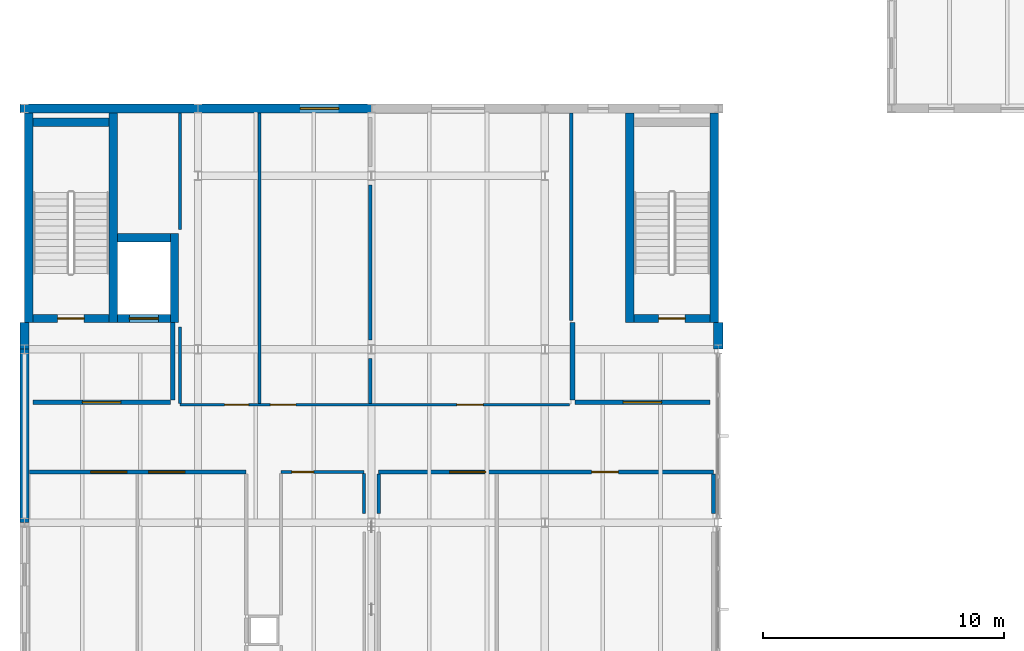
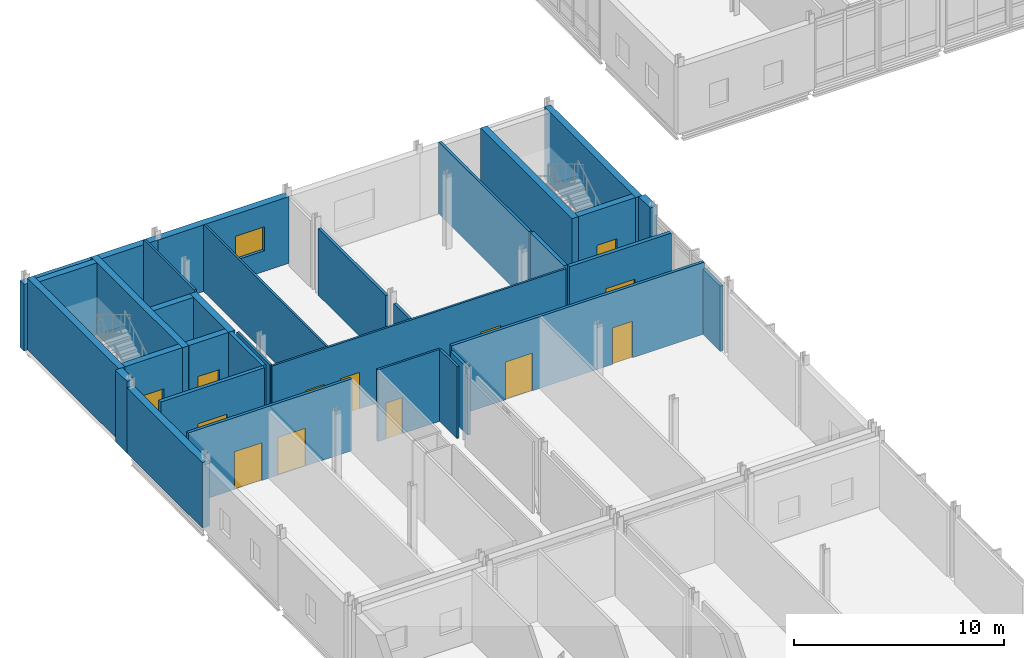
# One storey, part 59 of 76: 32 walls, 13 doors, 1 window, 14 openings.
"""IFC4 building model written with IfcOpenShell, lengths in metres."""

from ifc_helpers import new_model, si_unit, direction, frame, frame_2d, origin, place, context, subcontext, project, spatial, rectangle, extrude, material, layer, layer_set, type_object, element, fill, save


model = new_model("IFC4")

# Units and contexts
model_context = context("Model", 3, precision=1e-05, world=origin(), true_north=direction((0.0, 1.0)))
body_context = subcontext(model_context, "Body", "Model", "MODEL_VIEW")
ifc_project = project(units=[si_unit("LENGTHUNIT", "METRE"), si_unit("AREAUNIT", "SQUARE_METRE"), si_unit("VOLUMEUNIT", "CUBIC_METRE"), si_unit("PLANEANGLEUNIT", "RADIAN"), si_unit("MASSUNIT", "GRAM", prefix="KILO")], contexts=[model_context])

# Site, building, storey
site_placement = place(None, origin())
site = spatial("IfcSite", under=ifc_project, at=site_placement, CompositionType="ELEMENT")
building_placement = place(site_placement, origin())
building = spatial("IfcBuilding", under=site, at=building_placement, Name="Zarrinpeak Specialist Clinic", CompositionType="ELEMENT")
storey_placement = place(building_placement, frame((0.0, 0.0, 5.199951171875)))
storey = spatial("IfcBuildingStorey", under=building, at=storey_placement, Name="L01", CompositionType="ELEMENT", Elevation=5.199951171875)

# Wall, opening, door
ifc_material_1 = material(Name="Concrete C40/50", Category="concrete")
ifc_layer_1 = layer(ifc_material_1, 0.35009765625)
ifc_layer_set_1 = layer_set([ifc_layer_1], Name="Concrete C40/50")
wall_type_1 = type_object("IfcWallType", Name="WL-CR350", PredefinedType="SHEAR", material=ifc_layer_set_1)
wall_1_placement = place(storey_placement, frame((0.35009765625, 73.27490234375, 0.0), z_axis=(0.0, 0.0, 1.0), x_axis=(1.0, 0.0, 0.0)))
wall_1 = element("IfcWall", 1, at=wall_1_placement, inside=storey, type_object=wall_type_1, Name="L01 Core C09 Shear Wall STS", PredefinedType="SHEAR", context=body_context, shape_type="SweptSolid", body=[
    extrude(rectangle(XDim=3.14990234375, YDim=0.35009765625, at=frame_2d((1.574951171875, 0.0))), origin(), (0.0, 0.0, 1.0), 4.18505859375),
])
opening_1_placement = place(wall_1_placement, frame((1.02490234375, 0.0, 0.0)))
opening_1 = element("IfcOpeningElement", 2, at=opening_1_placement, cuts=wall_1, Name="Opening D-S02", PredefinedType="OPENING", context=body_context, shape_type="SweptSolid", body=[
    extrude(rectangle(XDim=1.10009765625, YDim=2.14990234375, at=frame_2d((0.550048828125, 1.074951171875))), frame((0.0, 0.18505859375, 0.0), z_axis=(0.0, -1.0, 0.0), x_axis=(1.0, 0.0, 0.0)), (0.0, 0.0, 1.0), 0.3701171875),
])
ifc_material_2 = material(Name="Powder-Coated Galvanised Steel", Category="steel")
door_type_1 = type_object("IfcDoorType", Name="DR-FD110", OperationType="SINGLE_SWING_RIGHT", PredefinedType="DOOR", material=ifc_material_2)
door_1_placement = place(opening_1_placement, origin())
door_1 = element("IfcDoor", 3, at=door_1_placement, inside=storey, type_object=door_type_1, Name="L01 Protected Stair ST-09 Fire Door", OperationType="SINGLE_SWING_RIGHT", OverallHeight=2.14990234375, OverallWidth=1.10009765625, PredefinedType="DOOR", context=body_context, shape_type="SweptSolid", body=[
    extrude(rectangle(XDim=1.10009765625, YDim=2.14990234375, at=frame_2d((0.550048828125, 1.074951171875))), frame((0.0, 0.02490234375, 0.0), z_axis=(0.0, -1.0, 0.0), x_axis=(1.0, 0.0, 0.0)), (0.0, 0.0, 1.0), 0.050048828125),
])
fill(opening_1, door_1)

# Walls
wall_2_placement = place(storey_placement, frame((0.35009765625, 81.425048828125, 0.0), z_axis=(0.0, 0.0, 1.0), x_axis=(1.0, 0.0, 0.0)))
element("IfcWall", 4, at=wall_2_placement, inside=storey, type_object=wall_type_1, Name="L01 Core C09 Shear Wall STN", PredefinedType="SHEAR", context=body_context, shape_type="SweptSolid", body=[
    extrude(rectangle(XDim=3.14990234375, YDim=0.35009765625, at=frame_2d((1.574951171875, 0.0))), origin(), (0.0, 0.0, 1.0), 4.18505859375),
])
for number, where, z_axis, x_axis, name in (
    (5, (0.175048828125, 73.10009765625, 0.0), (0.0, 0.0, 1.0), (0.0, 1.0, 0.0), "L01 Core C09 Shear Wall STW"),
    (6, (3.675048828125, 73.10009765625, 0.0), (0.0, 0.0, 1.0), (0.0, 1.0, 0.0), "L01 Core C09 Shear Wall STE"),
):
    element("IfcWall", number, at=place(storey_placement, frame(where, z_axis=z_axis, x_axis=x_axis)), inside=storey, type_object=wall_type_1, Name=name, PredefinedType="SHEAR", context=body_context, shape_type="SweptSolid", body=[
        extrude(rectangle(XDim=8.7099609375, YDim=0.35009765625, at=frame_2d((4.35498046875, 0.0))), origin(), (0.0, 0.0, 1.0), 4.18505859375),
    ])

# Wall, opening, door
wall_3_placement = place(storey_placement, frame((3.85009765625, 73.27490234375, 0.0), z_axis=(0.0, 0.0, 1.0), x_axis=(1.0, 0.0, 0.0)))
wall_3 = element("IfcWall", 7, at=wall_3_placement, inside=storey, type_object=wall_type_1, Name="L01 Lift LF-P5 Shaft Wall LFS", PredefinedType="SHEAR", context=body_context, shape_type="SweptSolid", body=[
    extrude(rectangle(XDim=2.199951171875, YDim=0.35009765625, at=frame_2d((1.10009765625, 0.0))), origin(), (0.0, 0.0, 1.0), 4.18505859375),
])
opening_2_placement = place(wall_3_placement, frame((0.5, 0.0, 0.0)))
opening_2 = element("IfcOpeningElement", 8, at=opening_2_placement, cuts=wall_3, Name="Opening LD-02", PredefinedType="OPENING", context=body_context, shape_type="SweptSolid", body=[
    extrude(rectangle(XDim=1.199951171875, YDim=2.199951171875, at=frame_2d((0.60009765625, 1.10009765625))), frame((0.0, 0.18505859375, 0.0), z_axis=(0.0, -1.0, 0.0), x_axis=(1.0, 0.0, 0.0)), (0.0, 0.0, 1.0), 0.3701171875),
])
door_type_2 = type_object("IfcDoorType", Name="DR-LD120", OperationType="SLIDING_TO_RIGHT", PredefinedType="DOOR", material=ifc_material_2)
door_2_placement = place(opening_2_placement, origin())
door_2 = element("IfcDoor", 9, at=door_2_placement, inside=storey, type_object=door_type_2, Name="L01 Lift LF-P5 Sliding Landing Door", OperationType="SLIDING_TO_RIGHT", OverallHeight=2.199951171875, OverallWidth=1.199951171875, PredefinedType="DOOR", context=body_context, shape_type="SweptSolid", body=[
    extrude(rectangle(XDim=1.199951171875, YDim=2.199951171875, at=frame_2d((0.60009765625, 1.10009765625))), frame((0.0, 0.02490234375, 0.0), z_axis=(0.0, -1.0, 0.0), x_axis=(1.0, 0.0, 0.0)), (0.0, 0.0, 1.0), 0.050048828125),
])
fill(opening_2, door_2)

# Walls
wall_4_placement = place(storey_placement, frame((3.85009765625, 76.625, 0.0), z_axis=(0.0, 0.0, 1.0), x_axis=(1.0, 0.0, 0.0)))
element("IfcWall", 10, at=wall_4_placement, inside=storey, type_object=wall_type_1, Name="L01 Lift LF-P5 Shaft Wall LFN", PredefinedType="SHEAR", context=body_context, shape_type="SweptSolid", body=[
    extrude(rectangle(XDim=2.199951171875, YDim=0.35009765625, at=frame_2d((1.10009765625, 0.0))), origin(), (0.0, 0.0, 1.0), 4.18505859375),
])
wall_5_placement = place(storey_placement, frame((6.22509765625, 73.10009765625, 0.0), z_axis=(0.0, 0.0, 1.0), x_axis=(0.0, 1.0, 0.0)))
element("IfcWall", 11, at=wall_5_placement, inside=storey, type_object=wall_type_1, Name="L01 Lift LF-P5 Shaft Wall LFE", PredefinedType="SHEAR", context=body_context, shape_type="SweptSolid", body=[
    extrude(rectangle(XDim=3.699951171875, YDim=0.35009765625, at=frame_2d((1.85009765625, 0.0))), origin(), (0.0, 0.0, 1.0), 4.18505859375),
])

# Wall, opening, door
wall_6_placement = place(storey_placement, frame((25.300048828125, 73.27490234375, 0.0), z_axis=(0.0, 0.0, 1.0), x_axis=(1.0, 0.0, 0.0)))
wall_6 = element("IfcWall", 12, at=wall_6_placement, inside=storey, type_object=wall_type_1, Name="L01 Core C10 Shear Wall STS", PredefinedType="SHEAR", context=body_context, shape_type="SweptSolid", body=[
    extrude(rectangle(XDim=3.14990234375, YDim=0.35009765625, at=frame_2d((1.574951171875, 0.0))), origin(), (0.0, 0.0, 1.0), 4.18505859375),
])
opening_3_placement = place(wall_6_placement, frame((1.02490234375, 0.0, 0.0)))
opening_3 = element("IfcOpeningElement", 13, at=opening_3_placement, cuts=wall_6, Name="Opening D-S02", PredefinedType="OPENING", context=body_context, shape_type="SweptSolid", body=[
    extrude(rectangle(XDim=1.10009765625, YDim=2.14990234375, at=frame_2d((0.550048828125, 1.074951171875))), frame((0.0, 0.18505859375, 0.0), z_axis=(0.0, -1.0, 0.0), x_axis=(1.0, 0.0, 0.0)), (0.0, 0.0, 1.0), 0.3701171875),
])
door_3_placement = place(opening_3_placement, origin())
door_3 = element("IfcDoor", 14, at=door_3_placement, inside=storey, type_object=door_type_1, Name="L01 Protected Stair ST-10 Fire Door", OperationType="SINGLE_SWING_RIGHT", OverallHeight=2.14990234375, OverallWidth=1.10009765625, PredefinedType="DOOR", context=body_context, shape_type="SweptSolid", body=[
    extrude(rectangle(XDim=1.10009765625, YDim=2.14990234375, at=frame_2d((0.550048828125, 1.074951171875))), frame((0.0, 0.02490234375, 0.0), z_axis=(0.0, -1.0, 0.0), x_axis=(1.0, 0.0, 0.0)), (0.0, 0.0, 1.0), 0.050048828125),
])
fill(opening_3, door_3)

# Walls
for number, where, z_axis, x_axis, name in (
    (15, (25.125, 73.10009765625, 0.0), (0.0, 0.0, 1.0), (0.0, 1.0, 0.0), "L01 Core C10 Shear Wall STW"),
    (16, (28.625, 73.10009765625, 0.0), (0.0, 0.0, 1.0), (0.0, 1.0, 0.0), "L01 Core C10 Shear Wall STE"),
):
    element("IfcWall", number, at=place(storey_placement, frame(where, z_axis=z_axis, x_axis=x_axis)), inside=storey, type_object=wall_type_1, Name=name, PredefinedType="SHEAR", context=body_context, shape_type="SweptSolid", body=[
        extrude(rectangle(XDim=8.7099609375, YDim=0.35009765625, at=frame_2d((4.35498046875, 0.0))), origin(), (0.0, 0.0, 1.0), 4.18505859375),
    ])
ifc_material_3 = material(Name="Precast concrete C40/50", Category="concrete")
ifc_layer_2 = layer(ifc_material_3, 0.3798828125)
ifc_layer_set_2 = layer_set([ifc_layer_2], Name="Precast concrete C40/50")
wall_type_2 = type_object("IfcWallType", Name="WL-EW380", PredefinedType="STANDARD", material=ifc_layer_set_2)
wall_7_placement = place(storey_placement, frame((7.199951171875, 82.0, 0.0), z_axis=(0.0, 0.0, 1.0), x_axis=(-1.0, 0.0, 0.0)))
element("IfcWall", 17, at=wall_7_placement, inside=storey, type_object=wall_type_2, Name="L01 V5 Exterior GRC Wall EW-L01-V5-0229", PredefinedType="STANDARD", context=body_context, shape_type="SweptSolid", body=[
    extrude(rectangle(XDim=7.389892578125, YDim=0.3798828125, at=frame_2d((3.69482421875, 0.0))), origin(), (0.0, 0.0, 1.0), 3.880126953125),
])

# Wall, opening, window
wall_8_placement = place(storey_placement, frame((14.39990234375, 82.0, 0.0), z_axis=(0.0, 0.0, 1.0), x_axis=(-1.0, 0.0, 0.0)))
wall_8 = element("IfcWall", 18, at=wall_8_placement, inside=storey, type_object=wall_type_2, Name="L01 V5 Exterior GRC Wall EW-L01-V5-0230", PredefinedType="STANDARD", context=body_context, shape_type="SweptSolid", body=[
    extrude(rectangle(XDim=7.199951171875, YDim=0.3798828125, at=frame_2d((3.60009765625, 0.0))), origin(), (0.0, 0.0, 1.0), 3.880126953125),
])
opening_4_placement = place(wall_8_placement, frame((1.360107421875, 0.0, 1.199951171875)))
opening_4 = element("IfcOpeningElement", 19, at=opening_4_placement, cuts=wall_8, Name="Opening W-10", PredefinedType="OPENING", context=body_context, shape_type="SweptSolid", body=[
    extrude(rectangle(XDim=1.60009765625, YDim=1.39990234375, at=frame_2d((0.800048828125, 0.699951171875))), frame((0.0, 0.199951171875, 0.0), z_axis=(0.0, -1.0, 0.0), x_axis=(1.0, 0.0, 0.0)), (0.0, 0.0, 1.0), 0.39990234375),
])
ifc_material_4 = material(Name="Thermally Broken Aluminium and Low-E Glazing", Category="aluminium")
window_type = type_object("IfcWindowType", Name="WN-NRS160", PartitioningType="SINGLE_PANEL", PredefinedType="WINDOW", material=ifc_material_4)
window_placement = place(opening_4_placement, origin())
window = element("IfcWindow", 20, at=window_placement, inside=storey, type_object=window_type, Name="L01 Modular Facade Window WN-L01-0264", OverallHeight=1.39990234375, OverallWidth=1.60009765625, PartitioningType="SINGLE_PANEL", PredefinedType="WINDOW", context=body_context, shape_type="SweptSolid", body=[
    extrude(rectangle(XDim=1.60009765625, YDim=1.39990234375, at=frame_2d((0.800048828125, 0.699951171875))), frame((0.0, 0.030029296875, 0.0), z_axis=(0.0, -1.0, 0.0), x_axis=(1.0, 0.0, 0.0)), (0.0, 0.0, 1.0), 0.06005859375),
])
fill(opening_4, window)

# Walls
wall_9_placement = place(storey_placement, frame((0.0, 72.0, 0.0), z_axis=(0.0, 0.0, 1.0), x_axis=(0.0, -1.0, 0.0)))
element("IfcWall", 21, at=wall_9_placement, inside=storey, type_object=wall_type_2, Name="L01 V5 Exterior GRC Wall EW-L01-V5-0235", PredefinedType="STANDARD", context=body_context, shape_type="SweptSolid", body=[
    extrude(rectangle(XDim=7.199951171875, YDim=0.3798828125, at=frame_2d((3.60009765625, 0.0))), origin(), (0.0, 0.0, 1.0), 3.81005859375),
])
for number, where, z_axis, x_axis, name in (
    (22, (0.0, 73.10009765625, 0.0), (0.0, 0.0, 1.0), (0.0, -1.0, 0.0), "L01 V5 Exterior GRC Wall EW-L01-V5-0236"),
    (23, (28.800048828125, 72.0, 0.0), (0.0, 0.0, 1.0), (0.0, 1.0, 0.0), "L01 V5 Exterior GRC Wall EW-L01-V5-0238"),
):
    element("IfcWall", number, at=place(storey_placement, frame(where, z_axis=z_axis, x_axis=x_axis)), inside=storey, type_object=wall_type_2, Name=name, PredefinedType="STANDARD", context=body_context, shape_type="SweptSolid", body=[
        extrude(rectangle(XDim=1.10009765625, YDim=0.3798828125, at=frame_2d((0.550048828125, 0.0))), origin(), (0.0, 0.0, 1.0), 4.18505859375),
    ])

# Wall, opening, door
ifc_material_5 = material(Name="Sanitary Service Chase Plumbing Wall", Category="gypsum")
ifc_layer_3 = layer(ifc_material_5, 0.110107421875)
ifc_layer_set_3 = layer_set([ifc_layer_3], Name="Sanitary Service Chase Plumbing Wall")
wall_type_3 = type_object("IfcWallType", Name="WL-IW110", PredefinedType="PARTITIONING", material=ifc_layer_set_3)
wall_10_placement = place(storey_placement, frame((10.64990234375, 66.89990234375, 0.0), z_axis=(0.0, 0.0, 1.0), x_axis=(1.0, 0.0, 0.0)))
wall_10 = element("IfcWall", 24, at=wall_10_placement, inside=storey, type_object=wall_type_3, Name="L01 Staff WC Partition", PredefinedType="PARTITIONING", context=body_context, shape_type="SweptSolid", body=[
    extrude(rectangle(XDim=3.4501953125, YDim=0.110107421875, at=frame_2d((1.72509765625, 0.0))), origin(), (0.0, 0.0, 1.0), 4.18505859375),
])
opening_5_placement = place(wall_10_placement, frame((0.449951171875, 0.0, 0.0)))
opening_5 = element("IfcOpeningElement", 25, at=opening_5_placement, cuts=wall_10, Name="Opening D-W01", PredefinedType="OPENING", context=body_context, shape_type="SweptSolid", body=[
    extrude(rectangle(XDim=0.89990234375, YDim=2.10009765625, at=frame_2d((0.449951171875, 1.050048828125))), frame((0.0, 0.06494140625, 0.0), z_axis=(0.0, -1.0, 0.0), x_axis=(1.0, 0.0, 0.0)), (0.0, 0.0, 1.0), 0.130126953125),
])
door_type_3 = type_object("IfcDoorType", Name="DR-WC90", OperationType="SINGLE_SWING_RIGHT", PredefinedType="DOOR", material=ifc_material_2)
door_4_placement = place(opening_5_placement, origin())
door_4 = element("IfcDoor", 26, at=door_4_placement, inside=storey, type_object=door_type_3, Name="L01 Staff WC Door", OperationType="SINGLE_SWING_RIGHT", OverallHeight=2.10009765625, OverallWidth=0.89990234375, PredefinedType="DOOR", context=body_context, shape_type="SweptSolid", body=[
    extrude(rectangle(XDim=0.89990234375, YDim=2.10009765625, at=frame_2d((0.449951171875, 1.050048828125))), frame((0.0, 0.02490234375, 0.0), z_axis=(0.0, -1.0, 0.0), x_axis=(1.0, 0.0, 0.0)), (0.0, 0.0, 1.0), 0.050048828125),
])
fill(opening_5, door_4)

# Wall, openings, doors
wall_11_placement = place(storey_placement, frame((6.449951171875, 69.699951171875, 0.0), z_axis=(0.0, 0.0, 1.0), x_axis=(1.0, 0.0, 0.0)))
wall_11 = element("IfcWall", 27, at=wall_11_placement, inside=storey, type_object=wall_type_3, Name="L01 Accessible Patient WC Partition", PredefinedType="PARTITIONING", context=body_context, shape_type="SweptSolid", body=[
    extrude(rectangle(XDim=16.179931640625, YDim=0.110107421875, at=frame_2d((8.08984375, 0.0))), origin(), (0.0, 0.0, 1.0), 4.18505859375),
])
opening_6_placement = place(wall_11_placement, frame((1.85009765625, 0.0, 0.0)))
opening_6 = element("IfcOpeningElement", 28, at=opening_6_placement, cuts=wall_11, Name="Opening D-W02", PredefinedType="OPENING", context=body_context, shape_type="SweptSolid", body=[
    extrude(rectangle(XDim=1.0, YDim=2.10009765625, at=frame_2d((0.5, 1.050048828125))), frame((0.0, 0.06494140625, 0.0), z_axis=(0.0, -1.0, 0.0), x_axis=(1.0, 0.0, 0.0)), (0.0, 0.0, 1.0), 0.130126953125),
])
opening_7_placement = place(wall_11_placement, frame((3.75, 0.0, 0.0)))
opening_7 = element("IfcOpeningElement", 29, at=opening_7_placement, cuts=wall_11, Name="Opening DS-47", PredefinedType="OPENING", context=body_context, shape_type="SweptSolid", body=[
    extrude(rectangle(XDim=1.06201171875, YDim=2.1240234375, at=frame_2d((0.531005859375, 1.06201171875))), frame((0.0, 0.06494140625, 0.0), z_axis=(0.0, -1.0, 0.0), x_axis=(1.0, 0.0, 0.0)), (0.0, 0.0, 1.0), 0.130126953125),
])
opening_8_placement = place(wall_11_placement, frame((11.49609375, 0.0, 0.0)))
opening_8 = element("IfcOpeningElement", 30, at=opening_8_placement, cuts=wall_11, Name="Opening DS-48", PredefinedType="OPENING", context=body_context, shape_type="SweptSolid", body=[
    extrude(rectangle(XDim=1.087890625, YDim=2.1240234375, at=frame_2d((0.5439453125, 1.06201171875))), frame((0.0, 0.06494140625, 0.0), z_axis=(0.0, -1.0, 0.0), x_axis=(1.0, 0.0, 0.0)), (0.0, 0.0, 1.0), 0.130126953125),
])
door_type_4 = type_object("IfcDoorType", Name="DR-AWC100", OperationType="SLIDING_TO_LEFT", PredefinedType="DOOR", material=ifc_material_2)
door_5_placement = place(opening_6_placement, frame((1.0, 0.0, 0.0), z_axis=(0.0, 0.0, 1.0), x_axis=(-1.0, 0.0, 0.0)))
door_5 = element("IfcDoor", 31, at=door_5_placement, inside=storey, type_object=door_type_4, Name="L01 Accessible Patient WC Door", OperationType="SLIDING_TO_LEFT", OverallHeight=2.10009765625, OverallWidth=1.0, PredefinedType="DOOR", context=body_context, shape_type="SweptSolid", body=[
    extrude(rectangle(XDim=1.0, YDim=2.10009765625, at=frame_2d((0.5, 1.050048828125))), frame((0.0, 0.02490234375, 0.0), z_axis=(0.0, -1.0, 0.0), x_axis=(1.0, 0.0, 0.0)), (0.0, 0.0, 1.0), 0.050048828125),
])
fill(opening_6, door_5)
door_type_5 = type_object("IfcDoorType", Name="DR-SP47", OperationType="SINGLE_SWING_RIGHT", PredefinedType="DOOR", material=ifc_material_2)
door_6_placement = place(opening_7_placement, frame((1.06201171875, 0.0, 0.0), z_axis=(0.0, 0.0, 1.0), x_axis=(-1.0, 0.0, 0.0)))
door_6 = element("IfcDoor", 32, at=door_6_placement, inside=storey, type_object=door_type_5, Name="L01 PACS Teleradiology Office Door", OperationType="SINGLE_SWING_RIGHT", OverallHeight=2.1240234375, OverallWidth=1.06201171875, PredefinedType="DOOR", context=body_context, shape_type="SweptSolid", body=[
    extrude(rectangle(XDim=1.06201171875, YDim=2.1240234375, at=frame_2d((0.531005859375, 1.06201171875))), frame((0.0, 0.02490234375, 0.0), z_axis=(0.0, -1.0, 0.0), x_axis=(1.0, 0.0, 0.0)), (0.0, 0.0, 1.0), 0.050048828125),
])
fill(opening_7, door_6)
door_type_6 = type_object("IfcDoorType", Name="DR-SP48", OperationType="SINGLE_SWING_LEFT", PredefinedType="DOOR", material=ifc_material_2)
door_7_placement = place(opening_8_placement, frame((1.087890625, 0.0, 0.0), z_axis=(0.0, 0.0, 1.0), x_axis=(-1.0, 0.0, 0.0)))
door_7 = element("IfcDoor", 33, at=door_7_placement, inside=storey, type_object=door_type_6, Name="L01 Specialist Consultation Room 1 Door", OperationType="SINGLE_SWING_LEFT", OverallHeight=2.1240234375, OverallWidth=1.087890625, PredefinedType="DOOR", context=body_context, shape_type="SweptSolid", body=[
    extrude(rectangle(XDim=1.087890625, YDim=2.1240234375, at=frame_2d((0.5439453125, 1.06201171875))), frame((0.0, 0.02490234375, 0.0), z_axis=(0.0, -1.0, 0.0), x_axis=(1.0, 0.0, 0.0)), (0.0, 0.0, 1.0), 0.050048828125),
])
fill(opening_8, door_7)

# Walls
wall_12_placement = place(storey_placement, frame((6.449951171875, 76.97509765625, 0.0), z_axis=(0.0, 0.0, 1.0), x_axis=(0.0, 1.0, 0.0)))
element("IfcWall", 34, at=wall_12_placement, inside=storey, type_object=wall_type_3, Name="L01 Accessible Patient WC Dividing Partition", PredefinedType="PARTITIONING", context=body_context, shape_type="SweptSolid", body=[
    extrude(rectangle(XDim=4.824951171875, YDim=0.110107421875, at=frame_2d((2.41259765625, 0.0))), origin(), (0.0, 0.0, 1.0), 4.18505859375),
])
wall_13_placement = place(storey_placement, frame((9.75, 69.7548828125, 0.0), z_axis=(0.0, 0.0, 1.0), x_axis=(0.0, 1.0, 0.0)))
element("IfcWall", 35, at=wall_13_placement, inside=storey, type_object=wall_type_3, Name="L01 Accessible Patient WC Dividing Partition", PredefinedType="PARTITIONING", context=body_context, shape_type="SweptSolid", body=[
    extrude(rectangle(XDim=12.045166015625, YDim=0.110107421875, at=frame_2d((6.0224609375, 0.0))), origin(), (0.0, 0.0, 1.0), 3.900146484375),
])
ifc_material_6 = material(Name="Moisture-Resistant Wet-Room Partition", Category="gypsum")
ifc_layer_4 = layer(ifc_material_6, 0.125)
ifc_layer_set_4 = layer_set([ifc_layer_4], Name="Moisture-Resistant Wet-Room Partition")
wall_type_4 = type_object("IfcWallType", Name="WL-IW125W", PredefinedType="PARTITIONING", material=ifc_layer_set_4)
wall_14_placement = place(storey_placement, frame((6.449951171875, 69.7548828125, 0.0), z_axis=(0.0, 0.0, 1.0), x_axis=(0.0, 1.0, 0.0)))
element("IfcWall", 36, at=wall_14_placement, inside=storey, type_object=wall_type_4, Name="L01 Accessible Patient WC Dividing Partition", PredefinedType="PARTITIONING", context=body_context, shape_type="SweptSolid", body=[
    extrude(rectangle(XDim=3.170166015625, YDim=0.125, at=frame_2d((1.5849609375, 0.0))), origin(), (0.0, 0.0, 1.0), 4.18505859375),
])
wall_15_placement = place(storey_placement, frame((14.10009765625, 65.179931640625, 0.0), z_axis=(0.0, 0.0, 1.0), x_axis=(0.0, 1.0, 0.0)))
element("IfcWall", 37, at=wall_15_placement, inside=storey, type_object=wall_type_4, Name="L01 Staff WC Dividing Partition", PredefinedType="PARTITIONING", context=body_context, shape_type="SweptSolid", body=[
    extrude(rectangle(XDim=1.6650390625, YDim=0.125, at=frame_2d((0.83251953125, 0.0))), origin(), (0.0, 0.0, 1.0), 4.18505859375),
])
ifc_material_7 = material(Name="Standard Drywall Partition", Category="gypsum")
ifc_layer_5 = layer(ifc_material_7, 0.135009765625)
ifc_layer_set_5 = layer_set([ifc_layer_5], Name="Standard Drywall Partition")
wall_type_5 = type_object("IfcWallType", Name="WL-IW135", PredefinedType="PARTITIONING", material=ifc_layer_set_5)
wall_16_placement = place(storey_placement, frame((22.699951171875, 73.199951171875, 0.0), z_axis=(0.0, 0.0, 1.0), x_axis=(0.0, 1.0, 0.0)))
element("IfcWall", 38, at=wall_16_placement, inside=storey, type_object=wall_type_5, Name="L01 Specialist Consultation Room 1 Dividing Partition", PredefinedType="PARTITIONING", context=body_context, shape_type="SweptSolid", body=[
    extrude(rectangle(XDim=8.60009765625, YDim=0.135009765625, at=frame_2d((4.300048828125, 0.0))), origin(), (0.0, 0.0, 1.0), 4.18505859375),
])
ifc_material_8 = material(Name="Insulated Clinical Gypsum Stud Partition", Category="gypsum")
ifc_layer_6 = layer(ifc_material_8, 0.14990234375)
ifc_layer_set_6 = layer_set([ifc_layer_6], Name="Insulated Clinical Gypsum Stud Partition")
wall_type_6 = type_object("IfcWallType", Name="WL-IW150", PredefinedType="PARTITIONING", material=ifc_layer_set_6)
wall_17_placement = place(storey_placement, frame((14.35009765625, 72.3798828125, 0.0), z_axis=(0.0, 0.0, 1.0), x_axis=(0.0, 1.0, 0.0)))
element("IfcWall", 39, at=wall_17_placement, inside=storey, type_object=wall_type_6, Name="L01 PACS Teleradiology Office Dividing Partition", PredefinedType="PARTITIONING", context=body_context, shape_type="SweptSolid", body=[
    extrude(rectangle(XDim=6.440185546875, YDim=0.14990234375, at=frame_2d((3.22021484375, 0.0))), origin(), (0.0, 0.0, 1.0), 3.880126953125),
])
wall_18_placement = place(storey_placement, frame((28.60009765625, 65.179931640625, 0.0), z_axis=(0.0, 0.0, 1.0), x_axis=(0.0, 1.0, 0.0)))
element("IfcWall", 40, at=wall_18_placement, inside=storey, type_object=wall_type_6, Name="L01 Specialist Consultation Room 2 Dividing Partition", PredefinedType="PARTITIONING", context=body_context, shape_type="SweptSolid", body=[
    extrude(rectangle(XDim=1.64111328125, YDim=0.14990234375, at=frame_2d((0.820556640625, 0.0))), origin(), (0.0, 0.0, 1.0), 3.81005859375),
])

# Wall, openings, doors
ifc_material_9 = material(Name="Lead-Lined X-Ray Diagnostic Partition", Category="gypsum")
ifc_layer_7 = layer(ifc_material_9, 0.157958984375)
ifc_layer_set_7 = layer_set([ifc_layer_7], Name="Lead-Lined X-Ray Diagnostic Partition")
wall_type_7 = type_object("IfcWallType", Name="WL-IW158", PredefinedType="PARTITIONING", material=ifc_layer_set_7)
wall_19_placement = place(storey_placement, frame((0.199951171875, 66.89990234375, 0.0), z_axis=(0.0, 0.0, 1.0), x_axis=(1.0, 0.0, 0.0)))
wall_19 = element("IfcWall", 41, at=wall_19_placement, inside=storey, type_object=wall_type_7, Name="L01 Digital Mammography and Dexa Suite Partition", PredefinedType="PARTITIONING", context=body_context, shape_type="SweptSolid", body=[
    extrude(rectangle(XDim=9.0, YDim=0.157958984375, at=frame_2d((4.5, 0.0))), origin(), (0.0, 0.0, 1.0), 4.18505859375),
])
opening_9_placement = place(wall_19_placement, frame((4.949951171875, 0.0, 0.0)))
opening_9 = element("IfcOpeningElement", 42, at=opening_9_placement, cuts=wall_19, Name="Opening D-B01", PredefinedType="OPENING", context=body_context, shape_type="SweptSolid", body=[
    extrude(rectangle(XDim=1.5, YDim=2.199951171875, at=frame_2d((0.75, 1.10009765625))), frame((0.0, 0.0888671875, 0.0), z_axis=(0.0, -1.0, 0.0), x_axis=(1.0, 0.0, 0.0)), (0.0, 0.0, 1.0), 0.177978515625),
])
opening_10_placement = place(wall_19_placement, frame((2.550048828125, 0.0, 0.0)))
opening_10 = element("IfcOpeningElement", 43, at=opening_10_placement, cuts=wall_19, Name="Opening D-B01", PredefinedType="OPENING", context=body_context, shape_type="SweptSolid", body=[
    extrude(rectangle(XDim=1.5, YDim=2.199951171875, at=frame_2d((0.75, 1.10009765625))), frame((0.0, 0.0888671875, 0.0), z_axis=(0.0, -1.0, 0.0), x_axis=(1.0, 0.0, 0.0)), (0.0, 0.0, 1.0), 0.177978515625),
])
door_type_7 = type_object("IfcDoorType", Name="DR-BED150", OperationType="DOUBLE_DOOR_SINGLE_SWING", PredefinedType="DOOR", material=ifc_material_2)
door_8_placement = place(opening_9_placement, origin())
door_8 = element("IfcDoor", 44, at=door_8_placement, inside=storey, type_object=door_type_7, Name="L01 Digital Mammography and Dexa Suite Door", OperationType="DOUBLE_DOOR_SINGLE_SWING", OverallHeight=2.199951171875, OverallWidth=1.5, PredefinedType="DOOR", context=body_context, shape_type="SweptSolid", body=[
    extrude(rectangle(XDim=1.5, YDim=2.199951171875, at=frame_2d((0.75, 1.10009765625))), frame((0.0, 0.02490234375, 0.0), z_axis=(0.0, -1.0, 0.0), x_axis=(1.0, 0.0, 0.0)), (0.0, 0.0, 1.0), 0.050048828125),
])
fill(opening_9, door_8)
door_9_placement = place(opening_10_placement, origin())
door_9 = element("IfcDoor", 45, at=door_9_placement, inside=storey, type_object=door_type_7, Name="L01 Fluoroscopy Interventional Room Door", OperationType="DOUBLE_DOOR_SINGLE_SWING", OverallHeight=2.199951171875, OverallWidth=1.5, PredefinedType="DOOR", context=body_context, shape_type="SweptSolid", body=[
    extrude(rectangle(XDim=1.5, YDim=2.199951171875, at=frame_2d((0.75, 1.10009765625))), frame((0.0, 0.02490234375, 0.0), z_axis=(0.0, -1.0, 0.0), x_axis=(1.0, 0.0, 0.0)), (0.0, 0.0, 1.0), 0.050048828125),
])
fill(opening_10, door_9)

wall_20_placement = place(storey_placement, frame((14.699951171875, 66.89990234375, 0.0), z_axis=(0.0, 0.0, 1.0), x_axis=(1.0, 0.0, 0.0)))
wall_20 = element("IfcWall", 46, at=wall_20_placement, inside=storey, type_object=wall_type_7, Name="L01 Ultrasound Diagnostic Bay Partition", PredefinedType="PARTITIONING", context=body_context, shape_type="SweptSolid", body=[
    extrude(rectangle(XDim=13.900146484375, YDim=0.157958984375, at=frame_2d((6.9501953125, 0.0))), origin(), (0.0, 0.0, 1.0), 4.18505859375),
])
opening_11_placement = place(wall_20_placement, frame((2.949951171875, 0.0, 0.0)))
opening_11 = element("IfcOpeningElement", 47, at=opening_11_placement, cuts=wall_20, Name="Opening D-B01", PredefinedType="OPENING", context=body_context, shape_type="SweptSolid", body=[
    extrude(rectangle(XDim=1.5, YDim=2.199951171875, at=frame_2d((0.75, 1.10009765625))), frame((0.0, 0.0888671875, 0.0), z_axis=(0.0, -1.0, 0.0), x_axis=(1.0, 0.0, 0.0)), (0.0, 0.0, 1.0), 0.177978515625),
])
opening_12_placement = place(wall_20_placement, frame((8.843017578125, 0.0, 0.0)))
opening_12 = element("IfcOpeningElement", 48, at=opening_12_placement, cuts=wall_20, Name="Opening DS-49", PredefinedType="OPENING", context=body_context, shape_type="SweptSolid", body=[
    extrude(rectangle(XDim=1.114013671875, YDim=2.1240234375, at=frame_2d((0.55712890625, 1.06201171875))), frame((0.0, 0.0888671875, 0.0), z_axis=(0.0, -1.0, 0.0), x_axis=(1.0, 0.0, 0.0)), (0.0, 0.0, 1.0), 0.177978515625),
])
door_10_placement = place(opening_11_placement, origin())
door_10 = element("IfcDoor", 49, at=door_10_placement, inside=storey, type_object=door_type_7, Name="L01 Ultrasound Diagnostic Bay Door", OperationType="DOUBLE_DOOR_SINGLE_SWING", OverallHeight=2.199951171875, OverallWidth=1.5, PredefinedType="DOOR", context=body_context, shape_type="SweptSolid", body=[
    extrude(rectangle(XDim=1.5, YDim=2.199951171875, at=frame_2d((0.75, 1.10009765625))), frame((0.0, 0.02490234375, 0.0), z_axis=(0.0, -1.0, 0.0), x_axis=(1.0, 0.0, 0.0)), (0.0, 0.0, 1.0), 0.050048828125),
])
fill(opening_11, door_10)
door_type_8 = type_object("IfcDoorType", Name="DR-SP49", OperationType="SINGLE_SWING_RIGHT", PredefinedType="DOOR", material=ifc_material_2)
door_11_placement = place(opening_12_placement, origin())
door_11 = element("IfcDoor", 50, at=door_11_placement, inside=storey, type_object=door_type_8, Name="L01 Specialist Consultation Room 2 Door", OperationType="SINGLE_SWING_RIGHT", OverallHeight=2.1240234375, OverallWidth=1.114013671875, PredefinedType="DOOR", context=body_context, shape_type="SweptSolid", body=[
    extrude(rectangle(XDim=1.114013671875, YDim=2.1240234375, at=frame_2d((0.55712890625, 1.06201171875))), frame((0.0, 0.02490234375, 0.0), z_axis=(0.0, -1.0, 0.0), x_axis=(1.0, 0.0, 0.0)), (0.0, 0.0, 1.0), 0.050048828125),
])
fill(opening_12, door_11)

# Walls
wall_21_placement = place(storey_placement, frame((14.699951171875, 65.179931640625, 0.0), z_axis=(0.0, 0.0, 1.0), x_axis=(0.0, 1.0, 0.0)))
element("IfcWall", 51, at=wall_21_placement, inside=storey, type_object=wall_type_7, Name="L01 Ultrasound Diagnostic Bay Dividing Partition", PredefinedType="PARTITIONING", context=body_context, shape_type="SweptSolid", body=[
    extrude(rectangle(XDim=1.64111328125, YDim=0.157958984375, at=frame_2d((0.820556640625, 0.0))), origin(), (0.0, 0.0, 1.0), 3.880126953125),
])
ifc_material_10 = material(Name="Acoustic Double Gypsum Stud Partition", Category="gypsum")
ifc_layer_8 = layer(ifc_material_10, 0.159912109375)
ifc_layer_set_8 = layer_set([ifc_layer_8], Name="Acoustic Double Gypsum Stud Partition")
wall_type_8 = type_object("IfcWallType", Name="WL-IW160", PredefinedType="PARTITIONING", material=ifc_layer_set_8)
wall_22_placement = place(storey_placement, frame((14.35009765625, 69.7548828125, 0.0), z_axis=(0.0, 0.0, 1.0), x_axis=(0.0, 1.0, 0.0)))
element("IfcWall", 52, at=wall_22_placement, inside=storey, type_object=wall_type_8, Name="L01 PACS Teleradiology Office Dividing Partition", PredefinedType="PARTITIONING", context=body_context, shape_type="SweptSolid", body=[
    extrude(rectangle(XDim=1.865234375, YDim=0.159912109375, at=frame_2d((0.9326171875, 0.0))), origin(), (0.0, 0.0, 1.0), 3.880126953125),
])

# Wall, opening, door
ifc_material_11 = material(Name="Autoclaved Aerated Concrete Blockwork", Category="masonry")
ifc_layer_9 = layer(ifc_material_11, 0.199951171875)
ifc_layer_set_9 = layer_set([ifc_layer_9], Name="Autoclaved Aerated Concrete Blockwork")
wall_type_9 = type_object("IfcWallType", Name="WL-IW200", PredefinedType="PARTITIONING", material=ifc_layer_set_9)
wall_23_placement = place(storey_placement, frame((0.35009765625, 69.800048828125, 0.0), z_axis=(0.0, 0.0, 1.0), x_axis=(1.0, 0.0, 0.0)))
wall_23 = element("IfcWall", 53, at=wall_23_placement, inside=storey, type_object=wall_type_9, Name="L01 C09 Protected Lobby Partition LBF", PredefinedType="PARTITIONING", context=body_context, shape_type="SweptSolid", body=[
    extrude(rectangle(XDim=5.699951171875, YDim=0.199951171875, at=frame_2d((2.85009765625, 0.0))), origin(), (0.0, 0.0, 1.0), 4.18505859375),
])
opening_13_placement = place(wall_23_placement, frame((2.050048828125, 0.0, 0.0)))
opening_13 = element("IfcOpeningElement", 54, at=opening_13_placement, cuts=wall_23, Name="Opening D-L01", PredefinedType="OPENING", context=body_context, shape_type="SweptSolid", body=[
    extrude(rectangle(XDim=1.60009765625, YDim=2.199951171875, at=frame_2d((0.800048828125, 1.10009765625))), frame((0.0, 0.10986328125, 0.0), z_axis=(0.0, -1.0, 0.0), x_axis=(1.0, 0.0, 0.0)), (0.0, 0.0, 1.0), 0.219970703125),
])
door_type_9 = type_object("IfcDoorType", Name="DR-LB160", OperationType="DOUBLE_DOOR_SINGLE_SWING", PredefinedType="DOOR", material=ifc_material_2)
door_12_placement = place(opening_13_placement, origin())
door_12 = element("IfcDoor", 55, at=door_12_placement, inside=storey, type_object=door_type_9, Name="L01 C09 Lobby Hold-Open Fire Door", OperationType="DOUBLE_DOOR_SINGLE_SWING", OverallHeight=2.199951171875, OverallWidth=1.60009765625, PredefinedType="DOOR", context=body_context, shape_type="SweptSolid", body=[
    extrude(rectangle(XDim=1.60009765625, YDim=2.199951171875, at=frame_2d((0.800048828125, 1.10009765625))), frame((0.0, 0.02490234375, 0.0), z_axis=(0.0, -1.0, 0.0), x_axis=(1.0, 0.0, 0.0)), (0.0, 0.0, 1.0), 0.050048828125),
])
fill(opening_13, door_12)

# Wall
wall_24_placement = place(storey_placement, frame((6.14990234375, 69.89990234375, 0.0), z_axis=(0.0, 0.0, 1.0), x_axis=(0.0, 1.0, 0.0)))
element("IfcWall", 56, at=wall_24_placement, inside=storey, type_object=wall_type_9, Name="L01 C09 Protected Lobby Partition LBE", PredefinedType="PARTITIONING", context=body_context, shape_type="SweptSolid", body=[
    extrude(rectangle(XDim=3.2001953125, YDim=0.199951171875, at=frame_2d((1.60009765625, 0.0))), origin(), (0.0, 0.0, 1.0), 4.18505859375),
])

# Wall, opening, door
wall_25_placement = place(storey_placement, frame((22.85009765625, 69.800048828125, 0.0), z_axis=(0.0, 0.0, 1.0), x_axis=(1.0, 0.0, 0.0)))
wall_25 = element("IfcWall", 57, at=wall_25_placement, inside=storey, type_object=wall_type_9, Name="L01 C10 Protected Lobby Partition LBF", PredefinedType="PARTITIONING", context=body_context, shape_type="SweptSolid", body=[
    extrude(rectangle(XDim=5.599853515625, YDim=0.199951171875, at=frame_2d((2.7998046875, 0.0))), origin(), (0.0, 0.0, 1.0), 4.18505859375),
])
opening_14_placement = place(wall_25_placement, frame((2.0, 0.0, 0.0)))
opening_14 = element("IfcOpeningElement", 58, at=opening_14_placement, cuts=wall_25, Name="Opening D-L01", PredefinedType="OPENING", context=body_context, shape_type="SweptSolid", body=[
    extrude(rectangle(XDim=1.60009765625, YDim=2.199951171875, at=frame_2d((0.800048828125, 1.10009765625))), frame((0.0, 0.10986328125, 0.0), z_axis=(0.0, -1.0, 0.0), x_axis=(1.0, 0.0, 0.0)), (0.0, 0.0, 1.0), 0.219970703125),
])
door_13_placement = place(opening_14_placement, origin())
door_13 = element("IfcDoor", 59, at=door_13_placement, inside=storey, type_object=door_type_9, Name="L01 C10 Lobby Hold-Open Fire Door", OperationType="DOUBLE_DOOR_SINGLE_SWING", OverallHeight=2.199951171875, OverallWidth=1.60009765625, PredefinedType="DOOR", context=body_context, shape_type="SweptSolid", body=[
    extrude(rectangle(XDim=1.60009765625, YDim=2.199951171875, at=frame_2d((0.800048828125, 1.10009765625))), frame((0.0, 0.02490234375, 0.0), z_axis=(0.0, -1.0, 0.0), x_axis=(1.0, 0.0, 0.0)), (0.0, 0.0, 1.0), 0.050048828125),
])
fill(opening_14, door_13)

# Wall
wall_26_placement = place(storey_placement, frame((22.75, 69.89990234375, 0.0), z_axis=(0.0, 0.0, 1.0), x_axis=(0.0, 1.0, 0.0)))
element("IfcWall", 60, at=wall_26_placement, inside=storey, type_object=wall_type_9, Name="L01 C10 Protected Lobby Partition LBW", PredefinedType="PARTITIONING", context=body_context, shape_type="SweptSolid", body=[
    extrude(rectangle(XDim=3.2001953125, YDim=0.199951171875, at=frame_2d((1.60009765625, 0.0))), origin(), (0.0, 0.0, 1.0), 4.18505859375),
])

save(model, "model.ifc")
